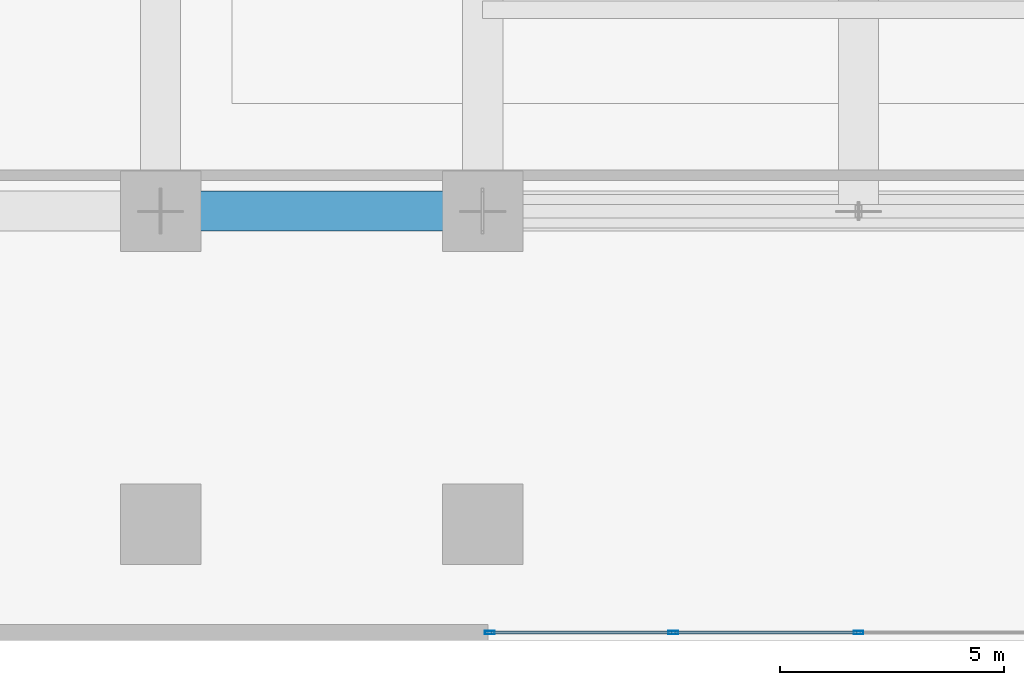
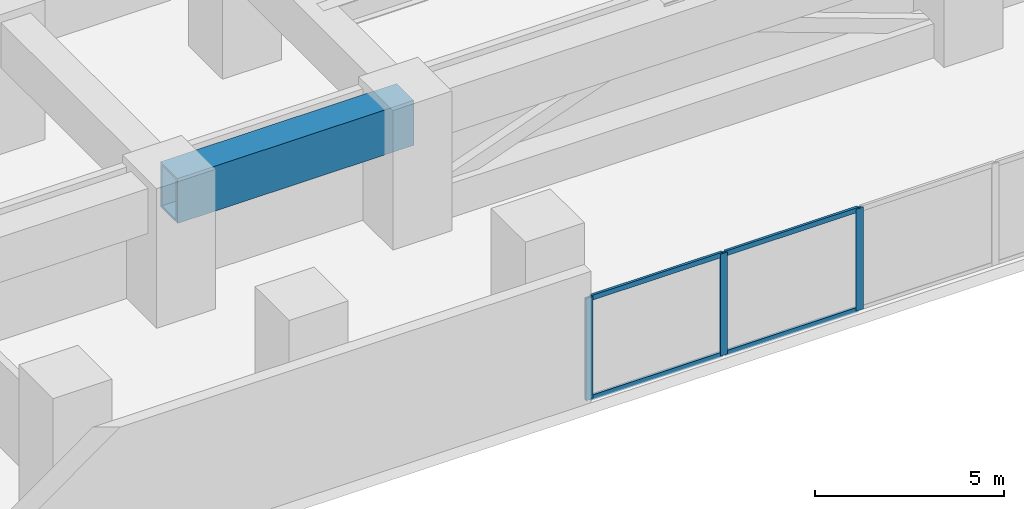
# One storey, part 2 of 25: 7 members, 1 beam, 1 element without a shape of its own.
"""IFC4 building model written with IfcOpenShell, lengths in metres."""

from ifc_helpers import new_model, si_unit, direction, frame, origin, origin_2d, place, context, subcontext, project, spatial, hollow_rectangle, extrude, material, layer, layer_set, material_profile, profile_set, type_object, element, aggregate, save


model = new_model("IFC4")

# Units and contexts
model_context = context("Model", 3, precision=1e-05, world=origin(), true_north=direction((0.0, 1.0)))
body_context = subcontext(model_context, "Body", "Model", "MODEL_VIEW")
ifc_project = project(units=[si_unit("LENGTHUNIT", "METRE"), si_unit("AREAUNIT", "SQUARE_METRE"), si_unit("VOLUMEUNIT", "CUBIC_METRE"), si_unit("PLANEANGLEUNIT", "RADIAN"), si_unit("MASSUNIT", "GRAM", prefix="KILO")], contexts=[model_context])

# Site, building, storey
site_placement = place(None, origin())
site = spatial("IfcSite", under=ifc_project, at=site_placement, CompositionType="ELEMENT")
building_placement = place(site_placement, origin())
building = spatial("IfcBuilding", under=site, at=building_placement, Name="Kiyonajd Concourse Tower", CompositionType="ELEMENT")
storey_placement = place(building_placement, frame((0.0, 0.0, 17.10009765625)))
storey = spatial("IfcBuildingStorey", under=building, at=storey_placement, Name="L05", CompositionType="ELEMENT", Elevation=17.10009765625)

# Beam
ifc_material_1 = material(Name="Steel ASTM A572 Grade 50", Category="steel")
ifc_material_profile_1 = material_profile(ifc_material_1, hollow_rectangle(XDim=0.89990234375, YDim=1.449951171875, WallThickness=0.074951171875, at=origin_2d()), Name="BOX-1450x900x75")
ifc_profile_set_1 = profile_set([ifc_material_profile_1], Name="Steel ASTM A572 Grade 50")
beam_type = type_object("IfcBeamType", Name="BM-XFER-1800", PredefinedType="BEAM", material=ifc_profile_set_1)
beam_placement = place(storey_placement, frame((32.39990234375, 9.60009765625, 3.514892578125), z_axis=(1.0, 0.0, 0.0), x_axis=(0.0, 1.0, 0.0)))
element("IfcBeam", 1, at=beam_placement, inside=storey, type_object=beam_type, Name="L05 Primary Transfer Girder", PredefinedType="BEAM", context=body_context, shape_type="SweptSolid", body=[
    extrude(hollow_rectangle(XDim=0.89990234375, YDim=1.449951171875, WallThickness=0.074951171875, at=origin_2d()), origin(), (0.0, 0.0, 1.0), 7.2001953125),
])

# Curtain wall, members
ifc_material_2 = material(Name="Thermally Broken Anodised Aluminium", Category="aluminium")
ifc_layer = layer(ifc_material_2, 0.179931640625)
ifc_layer_set = layer_set([ifc_layer], Name="Thermally Broken Anodised Aluminium")
curtain_wall_type = type_object("IfcCurtainWallType", Name="CW-SYS-01", PredefinedType="NOTDEFINED", material=ifc_layer_set)
curtain_wall_placement = place(storey_placement, origin())
curtain_wall = element("IfcCurtainWall", 2, at=curtain_wall_placement, inside=storey, type_object=curtain_wall_type, Name="L05 Unitised Curtain Wall CW1", PredefinedType="NOTDEFINED")
ifc_material_profile_2 = material_profile(ifc_material_2, hollow_rectangle(XDim=0.074951171875, YDim=0.219970703125, WallThickness=0.0048828125, at=origin_2d()), Name="MULL-75x220")
ifc_profile_set_2 = profile_set([ifc_material_profile_2], Name="Thermally Broken Anodised Aluminium")
member_type_1 = type_object("IfcMemberType", Name="MB-CW-MULL2", PredefinedType="MULLION", material=ifc_profile_set_2)
member_1_placement = place(storey_placement, frame((48.0, 0.179931640625, 0.0), z_axis=(0.0, 0.0, 1.0), x_axis=(0.0, -1.0, 0.0)))
member_1 = element("IfcMember", 3, at=member_1_placement, type_object=member_type_1, Name="CW1 mullion 3", PredefinedType="MULLION", context=body_context, shape_type="SweptSolid", body=[
    extrude(hollow_rectangle(XDim=0.074951171875, YDim=0.219970703125, WallThickness=0.0048828125, at=origin_2d()), origin(), (0.0, 0.0, 1.0), 3.289794921875),
])
member_2_placement = place(storey_placement, frame((43.860107421875, 0.179931640625, 0.0), z_axis=(0.0, 0.0, 1.0), x_axis=(0.0, -1.0, 0.0)))
member_2 = element("IfcMember", 4, at=member_2_placement, type_object=member_type_1, Name="CW1 mullion 4", PredefinedType="MULLION", context=body_context, shape_type="SweptSolid", body=[
    extrude(hollow_rectangle(XDim=0.074951171875, YDim=0.219970703125, WallThickness=0.0048828125, at=origin_2d()), origin(), (0.0, 0.0, 1.0), 3.289794921875),
])
member_3_placement = place(storey_placement, frame((39.757568359375, 0.179931640625, 0.0), z_axis=(0.0, 0.0, 1.0), x_axis=(0.0, -1.0, 0.0)))
member_3 = element("IfcMember", 5, at=member_3_placement, type_object=member_type_1, Name="CW1 mullion 5", PredefinedType="MULLION", context=body_context, shape_type="SweptSolid", body=[
    extrude(hollow_rectangle(XDim=0.074951171875, YDim=0.219970703125, WallThickness=0.0048828125, at=origin_2d()), origin(), (0.0, 0.0, 1.0), 3.289794921875),
])
ifc_material_profile_3 = material_profile(ifc_material_2, hollow_rectangle(XDim=0.074951171875, YDim=0.159912109375, WallThickness=0.0048828125, at=origin_2d()), Name="TRAN-75x160")
ifc_profile_set_3 = profile_set([ifc_material_profile_3], Name="Thermally Broken Anodised Aluminium")
member_type_2 = type_object("IfcMemberType", Name="MB-CW-TRAN2", PredefinedType="USERDEFINED", material=ifc_profile_set_3)
member_4_placement = place(storey_placement, frame((47.96240234375, 0.179931640625, 0.037353515625), z_axis=(-1.0, 0.0, 0.0), x_axis=(0.0, -1.0, 0.0)))
member_4 = element("IfcMember", 6, at=member_4_placement, type_object=member_type_2, Name="CW1 transom 3.1", ObjectType="TRANSOM", PredefinedType="USERDEFINED", context=body_context, shape_type="SweptSolid", body=[
    extrude(hollow_rectangle(XDim=0.074951171875, YDim=0.159912109375, WallThickness=0.0048828125, at=origin_2d()), origin(), (0.0, 0.0, 1.0), 4.06494140625),
])
member_5_placement = place(storey_placement, frame((47.96240234375, 0.179931640625, 3.25244140625), z_axis=(-1.0, 0.0, 0.0), x_axis=(0.0, -1.0, 0.0)))
member_5 = element("IfcMember", 7, at=member_5_placement, type_object=member_type_2, Name="CW1 transom 3.2", ObjectType="TRANSOM", PredefinedType="USERDEFINED", context=body_context, shape_type="SweptSolid", body=[
    extrude(hollow_rectangle(XDim=0.074951171875, YDim=0.159912109375, WallThickness=0.0048828125, at=origin_2d()), origin(), (0.0, 0.0, 1.0), 4.06494140625),
])
member_6_placement = place(storey_placement, frame((43.822509765625, 0.179931640625, 0.037353515625), z_axis=(-1.0, 0.0, 0.0), x_axis=(0.0, -1.0, 0.0)))
member_6 = element("IfcMember", 8, at=member_6_placement, type_object=member_type_2, Name="CW1 transom 4.1", ObjectType="TRANSOM", PredefinedType="USERDEFINED", context=body_context, shape_type="SweptSolid", body=[
    extrude(hollow_rectangle(XDim=0.074951171875, YDim=0.159912109375, WallThickness=0.0048828125, at=origin_2d()), origin(), (0.0, 0.0, 1.0), 4.027587890625),
])
member_7_placement = place(storey_placement, frame((43.822509765625, 0.179931640625, 3.25244140625), z_axis=(-1.0, 0.0, 0.0), x_axis=(0.0, -1.0, 0.0)))
member_7 = element("IfcMember", 9, at=member_7_placement, type_object=member_type_2, Name="CW1 transom 4.2", ObjectType="TRANSOM", PredefinedType="USERDEFINED", context=body_context, shape_type="SweptSolid", body=[
    extrude(hollow_rectangle(XDim=0.074951171875, YDim=0.159912109375, WallThickness=0.0048828125, at=origin_2d()), origin(), (0.0, 0.0, 1.0), 4.027587890625),
])
aggregate(curtain_wall, [member_1, member_2, member_3, member_4, member_5, member_6, member_7])

save(model, "model.ifc")
